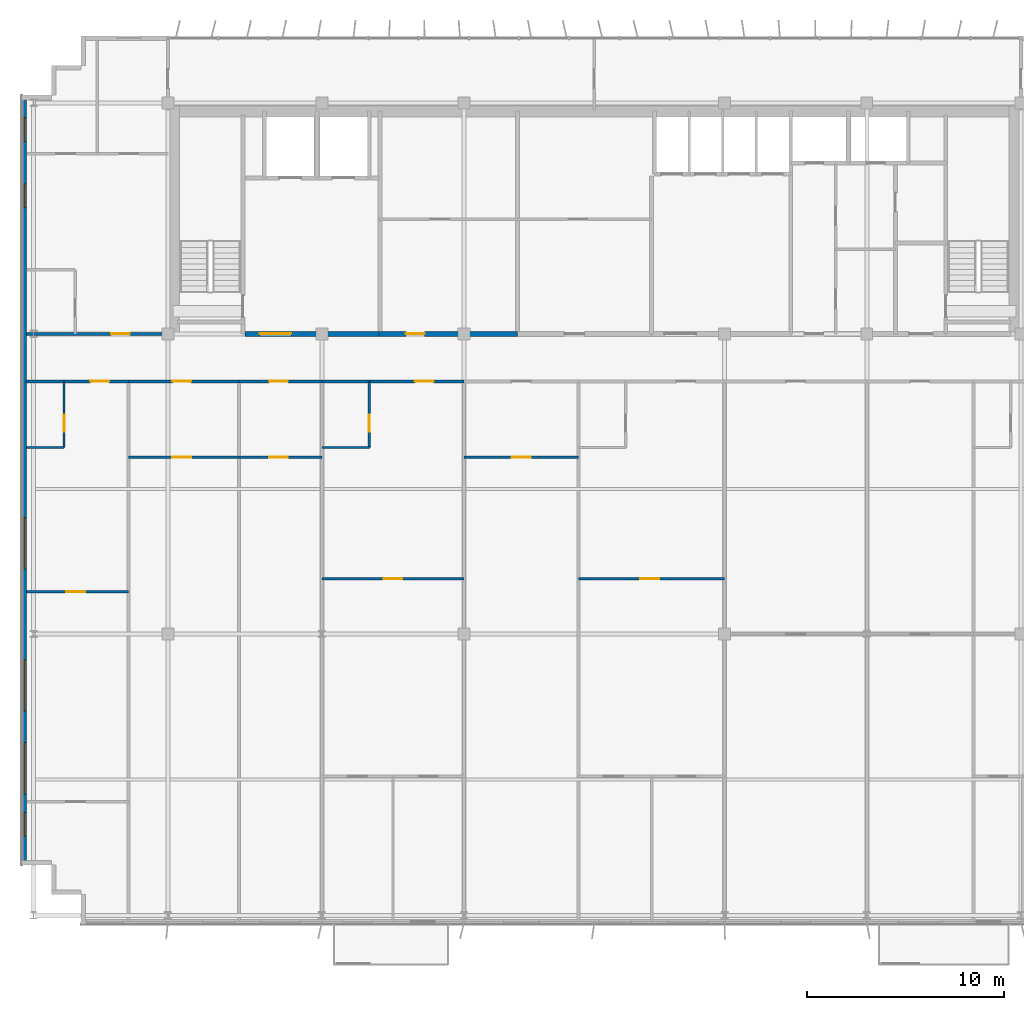
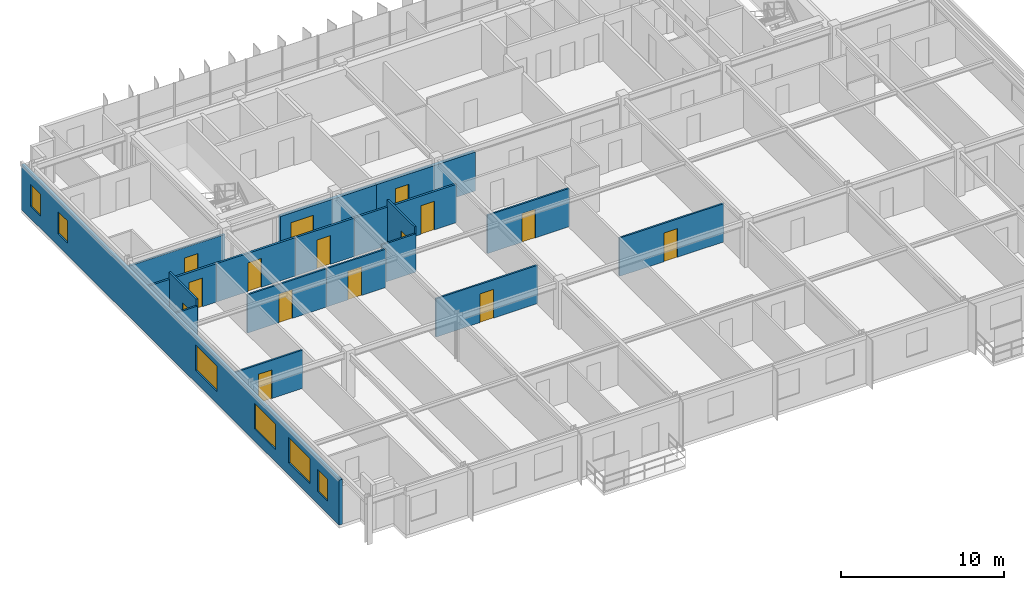
# One storey, part 17 of 23: 18 walls, 15 doors, 6 windows, 21 openings.
"""IFC4 building model written with IfcOpenShell, lengths in metres."""

from ifc_helpers import new_model, si_unit, direction, frame, frame_2d, origin, place, context, subcontext, project, spatial, rectangle, extrude, source, transform, mapped, material, layer, layer_set, type_object, element, fill, save


model = new_model("IFC4")

# Units and contexts
model_context = context("Model", 3, precision=1e-05, world=origin(), true_north=direction((0.0, 1.0)))
body_context = subcontext(model_context, "Body", "Model", "MODEL_VIEW")
ifc_project = project(units=[si_unit("LENGTHUNIT", "METRE"), si_unit("AREAUNIT", "SQUARE_METRE"), si_unit("VOLUMEUNIT", "CUBIC_METRE"), si_unit("PLANEANGLEUNIT", "RADIAN"), si_unit("MASSUNIT", "GRAM", prefix="KILO")], contexts=[model_context])

# Site, building, storey
site_placement = place(None, origin())
site = spatial("IfcSite", under=ifc_project, at=site_placement, CompositionType="ELEMENT")
building_placement = place(site_placement, origin())
building = spatial("IfcBuilding", under=site, at=building_placement, Name="Trelvane Seafront Commons", CompositionType="ELEMENT")
storey_placement = place(building_placement, frame((0.0, 0.0, 263.10009765625)))
storey = spatial("IfcBuildingStorey", under=building, at=storey_placement, Name="L68", CompositionType="ELEMENT", Elevation=263.10009765625)

# Wall, openings, windows
ifc_material_1 = material(Name="Precast concrete C40/50", Category="concrete")
ifc_layer_1 = layer(ifc_material_1, 0.239990234375, Name="ARCH-WALL-EXT240")
ifc_layer_set_1 = layer_set([ifc_layer_1], Name="Precast concrete C40/50")
wall_type_1 = type_object("IfcWallType", Name="ARCH-WALL-EXT240", PredefinedType="SOLIDWALL", material=ifc_layer_set_1)
wall_1_placement = place(storey_placement, frame((8.320068359375, 6.5, 0.0), z_axis=(0.0, 0.0, 1.0), x_axis=(0.0, 1.0, 0.0)))
wall_1 = element("IfcWall", 1, at=wall_1_placement, inside=storey, type_object=wall_type_1, Name="EW-L68-01366", PredefinedType="SOLIDWALL", context=body_context, shape_type="SweptSolid", body=[
    extrude(rectangle(XDim=39.0, YDim=0.239990234375, at=frame_2d((19.5, 0.0))), origin(), (0.0, 0.0, 1.0), 3.369873046875),
])
opening_1_placement = place(wall_1_placement, frame((1.449951171875, 0.0, 0.919921875)))
opening_1 = element("IfcOpeningElement", 2, at=opening_1_placement, cuts=wall_1, Name="Opening W05", PredefinedType="OPENING", context=body_context, shape_type="SweptSolid", body=[
    extrude(rectangle(XDim=1.199951171875, YDim=1.64990234375, at=frame_2d((0.60009765625, 0.824951171875))), frame((0.0, 0.1298828125, 0.0), z_axis=(0.0, -1.0, 0.0), x_axis=(1.0, 0.0, 0.0)), (0.0, 0.0, 1.0), 0.260009765625),
])
opening_2_placement = place(wall_1_placement, frame((3.60009765625, 0.0, 0.919921875)))
opening_2 = element("IfcOpeningElement", 3, at=opening_2_placement, cuts=wall_1, Name="Opening W04", PredefinedType="OPENING", context=body_context, shape_type="SweptSolid", body=[
    extrude(rectangle(XDim=2.60009765625, YDim=1.89990234375, at=frame_2d((1.300048828125, 0.949951171875))), frame((0.0, 0.1298828125, 0.0), z_axis=(0.0, -1.0, 0.0), x_axis=(1.0, 0.0, 0.0)), (0.0, 0.0, 1.0), 0.260009765625),
])
opening_3_placement = place(wall_1_placement, frame((7.800048828125, 0.0, 0.919921875)))
opening_3 = element("IfcOpeningElement", 4, at=opening_3_placement, cuts=wall_1, Name="Opening W04", PredefinedType="OPENING", context=body_context, shape_type="SweptSolid", body=[
    extrude(rectangle(XDim=2.60009765625, YDim=1.89990234375, at=frame_2d((1.300048828125, 0.949951171875))), frame((0.0, 0.1298828125, 0.0), z_axis=(0.0, -1.0, 0.0), x_axis=(1.0, 0.0, 0.0)), (0.0, 0.0, 1.0), 0.260009765625),
])
opening_4_placement = place(wall_1_placement, frame((15.0, 0.0, 0.919921875)))
opening_4 = element("IfcOpeningElement", 5, at=opening_4_placement, cuts=wall_1, Name="Opening W04", PredefinedType="OPENING", context=body_context, shape_type="SweptSolid", body=[
    extrude(rectangle(XDim=2.60009765625, YDim=1.89990234375, at=frame_2d((1.300048828125, 0.949951171875))), frame((0.0, 0.1298828125, 0.0), z_axis=(0.0, -1.0, 0.0), x_axis=(1.0, 0.0, 0.0)), (0.0, 0.0, 1.0), 0.260009765625),
])
opening_5_placement = place(wall_1_placement, frame((33.300048828125, 0.0, 0.919921875)))
opening_5 = element("IfcOpeningElement", 6, at=opening_5_placement, cuts=wall_1, Name="Opening W05", PredefinedType="OPENING", context=body_context, shape_type="SweptSolid", body=[
    extrude(rectangle(XDim=1.199951171875, YDim=1.64990234375, at=frame_2d((0.60009765625, 0.824951171875))), frame((0.0, 0.1298828125, 0.0), z_axis=(0.0, -1.0, 0.0), x_axis=(1.0, 0.0, 0.0)), (0.0, 0.0, 1.0), 0.260009765625),
])
opening_6_placement = place(wall_1_placement, frame((36.64990234375, 0.0, 0.919921875)))
opening_6 = element("IfcOpeningElement", 7, at=opening_6_placement, cuts=wall_1, Name="Opening W05", PredefinedType="OPENING", context=body_context, shape_type="SweptSolid", body=[
    extrude(rectangle(XDim=1.199951171875, YDim=1.64990234375, at=frame_2d((0.60009765625, 0.824951171875))), frame((0.0, 0.1298828125, 0.0), z_axis=(0.0, -1.0, 0.0), x_axis=(1.0, 0.0, 0.0)), (0.0, 0.0, 1.0), 0.260009765625),
])
ifc_material_2 = material(Name="Low-E coastal double glazing", Category="glass")
window_type_1 = type_object("IfcWindowType", Name="ARCH-WIN-W04", PartitioningType="SINGLE_PANEL", PredefinedType="WINDOW", material=ifc_material_2)
shared_shape_1 = source(origin(), body_context, "Body", "SweptSolid", [
    extrude(rectangle(XDim=2.60009765625, YDim=1.89990234375, at=frame_2d((1.300048828125, 0.949951171875))), frame((0.0, 0.030029296875, 0.0), z_axis=(0.0, -1.0, 0.0), x_axis=(1.0, 0.0, 0.0)), (0.0, 0.0, 1.0), 0.06005859375),
])
window_1_placement = place(opening_2_placement, origin())
window_1 = element("IfcWindow", 8, at=window_1_placement, inside=storey, type_object=window_type_1, Name="WIN-L68-EW-01623", OverallHeight=1.89990234375, OverallWidth=2.60009765625, PartitioningType="SINGLE_PANEL", PredefinedType="WINDOW", context=body_context, shape_type="MappedRepresentation", body=[
    mapped(shared_shape_1, transform((0.0, 0.0, 0.0), x_axis=(1.0, 0.0, 0.0), y_axis=(0.0, 1.0, 0.0), z_axis=(0.0, 0.0, 1.0), scale=1.0)),
])
fill(opening_2, window_1)
window_2_placement = place(opening_3_placement, origin())
window_2 = element("IfcWindow", 9, at=window_2_placement, inside=storey, type_object=window_type_1, Name="WIN-L68-EW-01624", OverallHeight=1.89990234375, OverallWidth=2.60009765625, PartitioningType="SINGLE_PANEL", PredefinedType="WINDOW", context=body_context, shape_type="MappedRepresentation", body=[
    mapped(shared_shape_1, transform((0.0, 0.0, 0.0), x_axis=(1.0, 0.0, 0.0), y_axis=(0.0, 1.0, 0.0), z_axis=(0.0, 0.0, 1.0), scale=1.0)),
])
fill(opening_3, window_2)
window_3_placement = place(opening_4_placement, origin())
window_3 = element("IfcWindow", 10, at=window_3_placement, inside=storey, type_object=window_type_1, Name="WIN-L68-EW-01625", OverallHeight=1.89990234375, OverallWidth=2.60009765625, PartitioningType="SINGLE_PANEL", PredefinedType="WINDOW", context=body_context, shape_type="MappedRepresentation", body=[
    mapped(shared_shape_1, transform((0.0, 0.0, 0.0), x_axis=(1.0, 0.0, 0.0), y_axis=(0.0, 1.0, 0.0), z_axis=(0.0, 0.0, 1.0), scale=1.0)),
])
fill(opening_4, window_3)
window_type_2 = type_object("IfcWindowType", Name="ARCH-WIN-W05", PartitioningType="SINGLE_PANEL", PredefinedType="WINDOW", material=ifc_material_2)
shared_shape_2 = source(origin(), body_context, "Body", "SweptSolid", [
    extrude(rectangle(XDim=1.199951171875, YDim=1.64990234375, at=frame_2d((0.60009765625, 0.824951171875))), frame((0.0, 0.030029296875, 0.0), z_axis=(0.0, -1.0, 0.0), x_axis=(1.0, 0.0, 0.0)), (0.0, 0.0, 1.0), 0.06005859375),
])
window_4_placement = place(opening_1_placement, origin())
window_4 = element("IfcWindow", 11, at=window_4_placement, inside=storey, type_object=window_type_2, Name="WIN-L68-EW-01622", OverallHeight=1.64990234375, OverallWidth=1.199951171875, PartitioningType="SINGLE_PANEL", PredefinedType="WINDOW", context=body_context, shape_type="MappedRepresentation", body=[
    mapped(shared_shape_2, transform((0.0, 0.0, 0.0), x_axis=(1.0, 0.0, 0.0), y_axis=(0.0, 1.0, 0.0), z_axis=(0.0, 0.0, 1.0), scale=1.0)),
])
fill(opening_1, window_4)
window_5_placement = place(opening_5_placement, origin())
window_5 = element("IfcWindow", 12, at=window_5_placement, inside=storey, type_object=window_type_2, Name="WIN-L68-EW-01626", OverallHeight=1.64990234375, OverallWidth=1.199951171875, PartitioningType="SINGLE_PANEL", PredefinedType="WINDOW", context=body_context, shape_type="MappedRepresentation", body=[
    mapped(shared_shape_2, transform((0.0, 0.0, 0.0), x_axis=(1.0, 0.0, 0.0), y_axis=(0.0, 1.0, 0.0), z_axis=(0.0, 0.0, 1.0), scale=1.0)),
])
fill(opening_5, window_5)
window_6_placement = place(opening_6_placement, origin())
window_6 = element("IfcWindow", 13, at=window_6_placement, inside=storey, type_object=window_type_2, Name="WIN-L68-EW-01627", OverallHeight=1.64990234375, OverallWidth=1.199951171875, PartitioningType="SINGLE_PANEL", PredefinedType="WINDOW", context=body_context, shape_type="MappedRepresentation", body=[
    mapped(shared_shape_2, transform((0.0, 0.0, 0.0), x_axis=(1.0, 0.0, 0.0), y_axis=(0.0, 1.0, 0.0), z_axis=(0.0, 0.0, 1.0), scale=1.0)),
])
fill(opening_6, window_6)

# Wall, opening, door
ifc_material_3 = material(Name="Concrete C40/50", Category="concrete")
ifc_layer_2 = layer(ifc_material_3, 0.25, Name="ARCH-WALL-FIRE250")
ifc_layer_set_2 = layer_set([ifc_layer_2], Name="Concrete C40/50")
wall_type_2 = type_object("IfcWallType", Name="ARCH-WALL-FIRE250", PredefinedType="PARTITIONING", material=ifc_layer_set_2)
wall_2_placement = place(storey_placement, frame((19.5, 33.39990234375, 0.0), z_axis=(0.0, 0.0, 1.0), x_axis=(1.0, 0.0, 0.0)))
wall_2 = element("IfcWall", 14, at=wall_2_placement, inside=storey, type_object=wall_type_2, Name="W-L68-CS-FFL-013", PredefinedType="PARTITIONING", context=body_context, shape_type="SweptSolid", body=[
    extrude(rectangle(XDim=6.800048828125, YDim=0.25, at=frame_2d((3.39990234375, 0.0))), origin(), (0.0, 0.0, 1.0), 2.919921875),
])
opening_7_placement = place(wall_2_placement, frame((0.75, 0.0, 0.0)))
opening_7 = element("IfcOpeningElement", 15, at=opening_7_placement, cuts=wall_2, Name="Opening FD-L68-05", PredefinedType="OPENING", context=body_context, shape_type="SweptSolid", body=[
    extrude(rectangle(XDim=1.60009765625, YDim=2.199951171875, at=frame_2d((0.800048828125, 1.10009765625))), frame((0.0, 0.135009765625, 0.0), z_axis=(0.0, -1.0, 0.0), x_axis=(1.0, 0.0, 0.0)), (0.0, 0.0, 1.0), 0.27001953125),
])
ifc_material_4 = material(Name="Powder-coated aluminium frame", Category="aluminium")
door_type_1 = type_object("IfcDoorType", Name="ARCH-DR-FD60-1600", OperationType="DOUBLE_DOOR_SINGLE_SWING", PredefinedType="DOOR", material=ifc_material_4)
shared_shape_3 = source(origin(), body_context, "Body", "SweptSolid", [
    extrude(rectangle(XDim=1.60009765625, YDim=2.199951171875, at=frame_2d((0.800048828125, 1.10009765625))), frame((0.0, 0.02490234375, 0.0), z_axis=(0.0, -1.0, 0.0), x_axis=(1.0, 0.0, 0.0)), (0.0, 0.0, 1.0), 0.050048828125),
])
door_1_placement = place(opening_7_placement, origin())
door_1 = element("IfcDoor", 16, at=door_1_placement, inside=storey, type_object=door_type_1, Name="L68 Firefighting Lift Lobby Double Fire Door", OperationType="DOUBLE_DOOR_SINGLE_SWING", OverallHeight=2.199951171875, OverallWidth=1.60009765625, PredefinedType="DOOR", context=body_context, shape_type="MappedRepresentation", body=[
    mapped(shared_shape_3, transform((0.0, 0.0, 0.0), x_axis=(1.0, 0.0, 0.0), y_axis=(0.0, 1.0, 0.0), z_axis=(0.0, 0.0, 1.0), scale=1.0)),
])
fill(opening_7, door_1)

wall_3_placement = place(storey_placement, frame((26.300048828125, 33.39990234375, 0.0), z_axis=(0.0, 0.0, 1.0), x_axis=(1.0, 0.0, 0.0)))
wall_3 = element("IfcWall", 17, at=wall_3_placement, inside=storey, type_object=wall_type_2, Name="W-L68-CS-FPL-024", PredefinedType="PARTITIONING", context=body_context, shape_type="SweptSolid", body=[
    extrude(rectangle(XDim=7.0, YDim=0.25, at=frame_2d((3.5, 0.0))), origin(), (0.0, 0.0, 1.0), 2.919921875),
])
opening_8_placement = place(wall_3_placement, frame((1.35009765625, 0.0, 0.0)))
opening_8 = element("IfcOpeningElement", 18, at=opening_8_placement, cuts=wall_3, Name="Opening D-L68-12", PredefinedType="OPENING", context=body_context, shape_type="SweptSolid", body=[
    extrude(rectangle(XDim=0.949951171875, YDim=2.14990234375, at=frame_2d((0.47509765625, 1.074951171875))), frame((0.0, 0.135009765625, 0.0), z_axis=(0.0, -1.0, 0.0), x_axis=(1.0, 0.0, 0.0)), (0.0, 0.0, 1.0), 0.27001953125),
])
ifc_material_5 = material(Name="Acoustic timber door leaf", Category="wood")
door_type_2 = type_object("IfcDoorType", Name="ARCH-DR-INT950", OperationType="NOTDEFINED", PredefinedType="DOOR", material=ifc_material_5)
shared_shape_4 = source(origin(), body_context, "Body", "SweptSolid", [
    extrude(rectangle(XDim=0.949951171875, YDim=2.14990234375, at=frame_2d((0.47509765625, 1.074951171875))), frame((0.0, 0.02490234375, 0.0), z_axis=(0.0, -1.0, 0.0), x_axis=(1.0, 0.0, 0.0)), (0.0, 0.0, 1.0), 0.050048828125),
])
door_2_placement = place(opening_8_placement, origin())
door_2 = element("IfcDoor", 19, at=door_2_placement, inside=storey, type_object=door_type_2, Name="L68 Floor Pantry Entrance Door", OperationType="SINGLE_SWING_RIGHT", OverallHeight=2.14990234375, OverallWidth=0.949951171875, PredefinedType="DOOR", context=body_context, shape_type="MappedRepresentation", body=[
    mapped(shared_shape_4, transform((0.0, 0.0, 0.0), x_axis=(1.0, 0.0, 0.0), y_axis=(0.0, 1.0, 0.0), z_axis=(0.0, 0.0, 1.0), scale=1.0)),
])
fill(opening_8, door_2)

ifc_material_6 = material(Name="Gypsum Drywall Acoustic Partition")
ifc_layer_3 = layer(ifc_material_6, 0.1201171875, Name="ARCH-WALL-PART120")
ifc_layer_set_3 = layer_set([ifc_layer_3], Name="Gypsum Drywall Acoustic Partition")
wall_type_3 = type_object("IfcWallType", Name="ARCH-WALL-PART120", PredefinedType="PARTITIONING", material=ifc_layer_set_3)
wall_4_placement = place(storey_placement, frame((8.43994140625, 20.35009765625, 0.0), z_axis=(0.0, 0.0, 1.0), x_axis=(1.0, 0.0, 0.0)))
wall_4 = element("IfcWall", 20, at=wall_4_placement, inside=storey, type_object=wall_type_3, Name="W-L68-U1-KL-054", PredefinedType="PARTITIONING", context=body_context, shape_type="SweptSolid", body=[
    extrude(rectangle(XDim=5.16015625, YDim=0.1201171875, at=frame_2d((2.580078125, 0.0))), origin(), (0.0, 0.0, 1.0), 2.869873046875),
])
opening_9_placement = place(wall_4_placement, frame((2.013916015625, 0.0, 0.0)))
opening_9 = element("IfcOpeningElement", 21, at=opening_9_placement, cuts=wall_4, Name="Opening D-L68-30", PredefinedType="OPENING", context=body_context, shape_type="SweptSolid", body=[
    extrude(rectangle(XDim=0.949951171875, YDim=2.14990234375, at=frame_2d((0.47509765625, 1.074951171875))), frame((0.0, 0.070068359375, 0.0), z_axis=(0.0, -1.0, 0.0), x_axis=(1.0, 0.0, 0.0)), (0.0, 0.0, 1.0), 0.14013671875),
])
door_3_placement = place(opening_9_placement, origin())
door_3 = element("IfcDoor", 22, at=door_3_placement, inside=storey, type_object=door_type_2, Name="L68 Door 30", OperationType="SINGLE_SWING_RIGHT", OverallHeight=2.14990234375, OverallWidth=0.949951171875, PredefinedType="DOOR", context=body_context, shape_type="MappedRepresentation", body=[
    mapped(shared_shape_4, transform((0.0, 0.0, 0.0), x_axis=(1.0, 0.0, 0.0), y_axis=(0.0, 1.0, 0.0), z_axis=(0.0, 0.0, 1.0), scale=1.0)),
])
fill(opening_9, door_3)

wall_5_placement = place(storey_placement, frame((10.340087890625, 27.64990234375, 0.0), z_axis=(0.0, 0.0, 1.0), x_axis=(0.0, 1.0, 0.0)))
wall_5 = element("IfcWall", 23, at=wall_5_placement, inside=storey, type_object=wall_type_3, Name="W-L68-U1-BE-055", PredefinedType="PARTITIONING", context=body_context, shape_type="SweptSolid", body=[
    extrude(rectangle(XDim=3.35009765625, YDim=0.1201171875, at=frame_2d((1.675048828125, 0.0))), origin(), (0.0, 0.0, 1.0), 3.369873046875),
])
opening_10_placement = place(wall_5_placement, frame((0.800048828125, 0.0, 0.0)))
opening_10 = element("IfcOpeningElement", 24, at=opening_10_placement, cuts=wall_5, Name="Opening D-L68-31", PredefinedType="OPENING", context=body_context, shape_type="SweptSolid", body=[
    extrude(rectangle(XDim=0.85009765625, YDim=2.10009765625, at=frame_2d((0.425048828125, 1.050048828125))), frame((0.0, 0.070068359375, 0.0), z_axis=(0.0, -1.0, 0.0), x_axis=(1.0, 0.0, 0.0)), (0.0, 0.0, 1.0), 0.14013671875),
])
door_type_3 = type_object("IfcDoorType", Name="ARCH-DR-INT850", OperationType="NOTDEFINED", PredefinedType="DOOR", material=ifc_material_5)
shared_shape_5 = source(origin(), body_context, "Body", "SweptSolid", [
    extrude(rectangle(XDim=0.85009765625, YDim=2.10009765625, at=frame_2d((0.425048828125, 1.050048828125))), frame((0.0, 0.02490234375, 0.0), z_axis=(0.0, -1.0, 0.0), x_axis=(1.0, 0.0, 0.0)), (0.0, 0.0, 1.0), 0.050048828125),
])
door_4_placement = place(opening_10_placement, origin())
door_4 = element("IfcDoor", 25, at=door_4_placement, inside=storey, type_object=door_type_3, Name="L68 Door 31", OperationType="SINGLE_SWING_LEFT", OverallHeight=2.10009765625, OverallWidth=0.85009765625, PredefinedType="DOOR", context=body_context, shape_type="MappedRepresentation", body=[
    mapped(shared_shape_5, transform((0.0, 0.0, 0.0), x_axis=(1.0, 0.0, 0.0), y_axis=(0.0, 1.0, 0.0), z_axis=(0.0, 0.0, 1.0), scale=1.0)),
])
fill(opening_10, door_4)

# Wall
wall_6_placement = place(storey_placement, frame((8.43994140625, 27.64990234375, 0.0), z_axis=(0.0, 0.0, 1.0), x_axis=(1.0, 0.0, 0.0)))
element("IfcWall", 26, at=wall_6_placement, inside=storey, type_object=wall_type_3, Name="W-L68-U1-BS-056", PredefinedType="PARTITIONING", context=body_context, shape_type="SweptSolid", body=[
    extrude(rectangle(XDim=1.900146484375, YDim=0.1201171875, at=frame_2d((0.9501953125, 0.0))), origin(), (0.0, 0.0, 1.0), 2.869873046875),
])

# Wall, opening, door
wall_7_placement = place(storey_placement, frame((13.60009765625, 27.14990234375, 0.0), z_axis=(0.0, 0.0, 1.0), x_axis=(1.0, 0.0, 0.0)))
wall_7 = element("IfcWall", 27, at=wall_7_placement, inside=storey, type_object=wall_type_3, Name="W-L68-U2-DIV-060", PredefinedType="PARTITIONING", context=body_context, shape_type="SweptSolid", body=[
    extrude(rectangle(XDim=5.599853515625, YDim=0.1201171875, at=frame_2d((2.7998046875, 0.0))), origin(), (0.0, 0.0, 1.0), 2.869873046875),
])
opening_11_placement = place(wall_7_placement, frame((2.23193359375, 0.0, 0.0)))
opening_11 = element("IfcOpeningElement", 28, at=opening_11_placement, cuts=wall_7, Name="Opening D-L68-35", PredefinedType="OPENING", context=body_context, shape_type="SweptSolid", body=[
    extrude(rectangle(XDim=0.949951171875, YDim=2.14990234375, at=frame_2d((0.47509765625, 1.074951171875))), frame((0.0, 0.070068359375, 0.0), z_axis=(0.0, -1.0, 0.0), x_axis=(1.0, 0.0, 0.0)), (0.0, 0.0, 1.0), 0.14013671875),
])
door_5_placement = place(opening_11_placement, origin())
door_5 = element("IfcDoor", 29, at=door_5_placement, inside=storey, type_object=door_type_2, Name="L68 Door 35", OperationType="SINGLE_SWING_LEFT", OverallHeight=2.14990234375, OverallWidth=0.949951171875, PredefinedType="DOOR", context=body_context, shape_type="MappedRepresentation", body=[
    mapped(shared_shape_4, transform((0.0, 0.0, 0.0), x_axis=(1.0, 0.0, 0.0), y_axis=(0.0, 1.0, 0.0), z_axis=(0.0, 0.0, 1.0), scale=1.0)),
])
fill(opening_11, door_5)

wall_8_placement = place(storey_placement, frame((19.199951171875, 27.14990234375, 0.0), z_axis=(0.0, 0.0, 1.0), x_axis=(1.0, 0.0, 0.0)))
wall_8 = element("IfcWall", 30, at=wall_8_placement, inside=storey, type_object=wall_type_3, Name="W-L68-U3-DIV-062", PredefinedType="PARTITIONING", context=body_context, shape_type="SweptSolid", body=[
    extrude(rectangle(XDim=4.199951171875, YDim=0.1201171875, at=frame_2d((2.10009765625, 0.0))), origin(), (0.0, 0.0, 1.0), 2.869873046875),
])
opening_12_placement = place(wall_8_placement, frame((1.529052734375, 0.0, 0.0)))
opening_12 = element("IfcOpeningElement", 31, at=opening_12_placement, cuts=wall_8, Name="Opening D-L68-37", PredefinedType="OPENING", context=body_context, shape_type="SweptSolid", body=[
    extrude(rectangle(XDim=0.949951171875, YDim=2.14990234375, at=frame_2d((0.47509765625, 1.074951171875))), frame((0.0, 0.070068359375, 0.0), z_axis=(0.0, -1.0, 0.0), x_axis=(1.0, 0.0, 0.0)), (0.0, 0.0, 1.0), 0.14013671875),
])
door_6_placement = place(opening_12_placement, origin())
door_6 = element("IfcDoor", 32, at=door_6_placement, inside=storey, type_object=door_type_2, Name="L68 Door 37", OperationType="SINGLE_SWING_LEFT", OverallHeight=2.14990234375, OverallWidth=0.949951171875, PredefinedType="DOOR", context=body_context, shape_type="MappedRepresentation", body=[
    mapped(shared_shape_4, transform((0.0, 0.0, 0.0), x_axis=(1.0, 0.0, 0.0), y_axis=(0.0, 1.0, 0.0), z_axis=(0.0, 0.0, 1.0), scale=1.0)),
])
fill(opening_12, door_6)

wall_9_placement = place(storey_placement, frame((23.39990234375, 21.0, 0.0), z_axis=(0.0, 0.0, 1.0), x_axis=(1.0, 0.0, 0.0)))
wall_9 = element("IfcWall", 33, at=wall_9_placement, inside=storey, type_object=wall_type_3, Name="W-L68-U4-KL-063", PredefinedType="PARTITIONING", context=body_context, shape_type="SweptSolid", body=[
    extrude(rectangle(XDim=7.2001953125, YDim=0.1201171875, at=frame_2d((3.60009765625, 0.0))), origin(), (0.0, 0.0, 1.0), 2.869873046875),
])
opening_13_placement = place(wall_9_placement, frame((3.125, 0.0, 0.0)))
opening_13 = element("IfcOpeningElement", 34, at=opening_13_placement, cuts=wall_9, Name="Opening D-L68-38", PredefinedType="OPENING", context=body_context, shape_type="SweptSolid", body=[
    extrude(rectangle(XDim=0.949951171875, YDim=2.14990234375, at=frame_2d((0.47509765625, 1.074951171875))), frame((0.0, 0.070068359375, 0.0), z_axis=(0.0, -1.0, 0.0), x_axis=(1.0, 0.0, 0.0)), (0.0, 0.0, 1.0), 0.14013671875),
])
door_7_placement = place(opening_13_placement, origin())
door_7 = element("IfcDoor", 35, at=door_7_placement, inside=storey, type_object=door_type_2, Name="L68 Door 38", OperationType="SINGLE_SWING_RIGHT", OverallHeight=2.14990234375, OverallWidth=0.949951171875, PredefinedType="DOOR", context=body_context, shape_type="MappedRepresentation", body=[
    mapped(shared_shape_4, transform((0.0, 0.0, 0.0), x_axis=(1.0, 0.0, 0.0), y_axis=(0.0, 1.0, 0.0), z_axis=(0.0, 0.0, 1.0), scale=1.0)),
])
fill(opening_13, door_7)

wall_10_placement = place(storey_placement, frame((25.800048828125, 27.64990234375, 0.0), z_axis=(0.0, 0.0, 1.0), x_axis=(0.0, 1.0, 0.0)))
wall_10 = element("IfcWall", 36, at=wall_10_placement, inside=storey, type_object=wall_type_3, Name="W-L68-U4-BE-064", PredefinedType="PARTITIONING", context=body_context, shape_type="SweptSolid", body=[
    extrude(rectangle(XDim=3.35009765625, YDim=0.1201171875, at=frame_2d((1.675048828125, 0.0))), origin(), (0.0, 0.0, 1.0), 3.369873046875),
])
opening_14_placement = place(wall_10_placement, frame((0.800048828125, 0.0, 0.0)))
opening_14 = element("IfcOpeningElement", 37, at=opening_14_placement, cuts=wall_10, Name="Opening D-L68-39", PredefinedType="OPENING", context=body_context, shape_type="SweptSolid", body=[
    extrude(rectangle(XDim=0.85009765625, YDim=2.10009765625, at=frame_2d((0.425048828125, 1.050048828125))), frame((0.0, 0.070068359375, 0.0), z_axis=(0.0, -1.0, 0.0), x_axis=(1.0, 0.0, 0.0)), (0.0, 0.0, 1.0), 0.14013671875),
])
door_8_placement = place(opening_14_placement, origin())
door_8 = element("IfcDoor", 38, at=door_8_placement, inside=storey, type_object=door_type_3, Name="L68 Door 39", OperationType="SINGLE_SWING_LEFT", OverallHeight=2.10009765625, OverallWidth=0.85009765625, PredefinedType="DOOR", context=body_context, shape_type="MappedRepresentation", body=[
    mapped(shared_shape_5, transform((0.0, 0.0, 0.0), x_axis=(1.0, 0.0, 0.0), y_axis=(0.0, 1.0, 0.0), z_axis=(0.0, 0.0, 1.0), scale=1.0)),
])
fill(opening_14, door_8)

# Wall
wall_11_placement = place(storey_placement, frame((23.39990234375, 27.64990234375, 0.0), z_axis=(0.0, 0.0, 1.0), x_axis=(1.0, 0.0, 0.0)))
element("IfcWall", 39, at=wall_11_placement, inside=storey, type_object=wall_type_3, Name="W-L68-U4-BS-065", PredefinedType="PARTITIONING", context=body_context, shape_type="SweptSolid", body=[
    extrude(rectangle(XDim=2.400146484375, YDim=0.1201171875, at=frame_2d((1.2001953125, 0.0))), origin(), (0.0, 0.0, 1.0), 2.869873046875),
])

# Wall, opening, door
wall_12_placement = place(storey_placement, frame((30.60009765625, 27.14990234375, 0.0), z_axis=(0.0, 0.0, 1.0), x_axis=(1.0, 0.0, 0.0)))
wall_12 = element("IfcWall", 40, at=wall_12_placement, inside=storey, type_object=wall_type_3, Name="W-L68-U5-DIV-071", PredefinedType="PARTITIONING", context=body_context, shape_type="SweptSolid", body=[
    extrude(rectangle(XDim=5.7998046875, YDim=0.1201171875, at=frame_2d((2.89990234375, 0.0))), origin(), (0.0, 0.0, 1.0), 2.869873046875),
])
opening_15_placement = place(wall_12_placement, frame((2.425048828125, 0.0, 0.0)))
opening_15 = element("IfcOpeningElement", 41, at=opening_15_placement, cuts=wall_12, Name="Opening D-L68-44", PredefinedType="OPENING", context=body_context, shape_type="SweptSolid", body=[
    extrude(rectangle(XDim=0.949951171875, YDim=2.14990234375, at=frame_2d((0.47509765625, 1.074951171875))), frame((0.0, 0.070068359375, 0.0), z_axis=(0.0, -1.0, 0.0), x_axis=(1.0, 0.0, 0.0)), (0.0, 0.0, 1.0), 0.14013671875),
])
door_9_placement = place(opening_15_placement, origin())
door_9 = element("IfcDoor", 42, at=door_9_placement, inside=storey, type_object=door_type_2, Name="L68 Door 44", OperationType="SINGLE_SWING_RIGHT", OverallHeight=2.14990234375, OverallWidth=0.949951171875, PredefinedType="DOOR", context=body_context, shape_type="MappedRepresentation", body=[
    mapped(shared_shape_4, transform((0.0, 0.0, 0.0), x_axis=(1.0, 0.0, 0.0), y_axis=(0.0, 1.0, 0.0), z_axis=(0.0, 0.0, 1.0), scale=1.0)),
])
fill(opening_15, door_9)

wall_13_placement = place(storey_placement, frame((36.39990234375, 21.0, 0.0), z_axis=(0.0, 0.0, 1.0), x_axis=(1.0, 0.0, 0.0)))
wall_13 = element("IfcWall", 43, at=wall_13_placement, inside=storey, type_object=wall_type_3, Name="W-L68-U6-KL-072", PredefinedType="PARTITIONING", context=body_context, shape_type="SweptSolid", body=[
    extrude(rectangle(XDim=7.400146484375, YDim=0.1201171875, at=frame_2d((3.7001953125, 0.0))), origin(), (0.0, 0.0, 1.0), 2.869873046875),
])
opening_16_placement = place(wall_13_placement, frame((3.133056640625, 0.0, 0.0)))
opening_16 = element("IfcOpeningElement", 44, at=opening_16_placement, cuts=wall_13, Name="Opening D-L68-45", PredefinedType="OPENING", context=body_context, shape_type="SweptSolid", body=[
    extrude(rectangle(XDim=0.949951171875, YDim=2.14990234375, at=frame_2d((0.47509765625, 1.074951171875))), frame((0.0, 0.070068359375, 0.0), z_axis=(0.0, -1.0, 0.0), x_axis=(1.0, 0.0, 0.0)), (0.0, 0.0, 1.0), 0.14013671875),
])
door_10_placement = place(opening_16_placement, origin())
door_10 = element("IfcDoor", 45, at=door_10_placement, inside=storey, type_object=door_type_2, Name="L68 Door 45", OperationType="SINGLE_SWING_LEFT", OverallHeight=2.14990234375, OverallWidth=0.949951171875, PredefinedType="DOOR", context=body_context, shape_type="MappedRepresentation", body=[
    mapped(shared_shape_4, transform((0.0, 0.0, 0.0), x_axis=(1.0, 0.0, 0.0), y_axis=(0.0, 1.0, 0.0), z_axis=(0.0, 0.0, 1.0), scale=1.0)),
])
fill(opening_16, door_10)

ifc_layer_4 = layer(ifc_material_6, 0.14990234375, Name="ARCH-WALL-PART150")
ifc_layer_set_4 = layer_set([ifc_layer_4], Name="Gypsum Drywall Acoustic Partition")
wall_type_4 = type_object("IfcWallType", Name="ARCH-WALL-PART150", PredefinedType="PARTITIONING", material=ifc_layer_set_4)
wall_14_placement = place(storey_placement, frame((8.449951171875, 33.39990234375, 0.0), z_axis=(0.0, 0.0, 1.0), x_axis=(1.0, 0.0, 0.0)))
wall_14 = element("IfcWall", 46, at=wall_14_placement, inside=storey, type_object=wall_type_4, Name="W-L68-NW-ENT-040", PredefinedType="PARTITIONING", context=body_context, shape_type="SweptSolid", body=[
    extrude(rectangle(XDim=7.150146484375, YDim=0.14990234375, at=frame_2d((3.5751953125, 0.0))), origin(), (0.0, 0.0, 1.0), 2.919921875),
])
opening_17_placement = place(wall_14_placement, frame((4.27001953125, 0.0, 0.0)))
opening_17 = element("IfcOpeningElement", 47, at=opening_17_placement, cuts=wall_14, Name="Opening FD-L68-25", PredefinedType="OPENING", context=body_context, shape_type="SweptSolid", body=[
    extrude(rectangle(XDim=0.949951171875, YDim=2.14990234375, at=frame_2d((0.47509765625, 1.074951171875))), frame((0.0, 0.0849609375, 0.0), z_axis=(0.0, -1.0, 0.0), x_axis=(1.0, 0.0, 0.0)), (0.0, 0.0, 1.0), 0.169921875),
])
door_type_4 = type_object("IfcDoorType", Name="ARCH-DR-FD60-950", OperationType="NOTDEFINED", PredefinedType="DOOR", material=ifc_material_4)
door_11_placement = place(opening_17_placement, origin())
door_11 = element("IfcDoor", 48, at=door_11_placement, inside=storey, type_object=door_type_4, Name="L68 NW Flat Entrance Door", OperationType="SINGLE_SWING_LEFT", OverallHeight=2.14990234375, OverallWidth=0.949951171875, PredefinedType="DOOR", context=body_context, shape_type="MappedRepresentation", body=[
    mapped(shared_shape_4, transform((0.0, 0.0, 0.0), x_axis=(1.0, 0.0, 0.0), y_axis=(0.0, 1.0, 0.0), z_axis=(0.0, 0.0, 1.0), scale=1.0)),
])
fill(opening_17, door_11)

wall_15_placement = place(storey_placement, frame((8.425048828125, 31.0, 0.0), z_axis=(0.0, 0.0, 1.0), x_axis=(1.0, 0.0, 0.0)))
wall_15 = element("IfcWall", 49, at=wall_15_placement, inside=storey, type_object=wall_type_4, Name="W-L68-CS-BAY-1-057", PredefinedType="PARTITIONING", context=body_context, shape_type="SweptSolid", body=[
    extrude(rectangle(XDim=5.175048828125, YDim=0.14990234375, at=frame_2d((2.58740234375, 0.0))), origin(), (0.0, 0.0, 1.0), 2.869873046875),
])
opening_18_placement = place(wall_15_placement, frame((3.243896484375, 0.0, 0.0)))
opening_18 = element("IfcOpeningElement", 50, at=opening_18_placement, cuts=wall_15, Name="Opening FD-L68-32", PredefinedType="OPENING", context=body_context, shape_type="SweptSolid", body=[
    extrude(rectangle(XDim=0.949951171875, YDim=2.14990234375, at=frame_2d((0.47509765625, 1.074951171875))), frame((0.0, 0.0849609375, 0.0), z_axis=(0.0, -1.0, 0.0), x_axis=(1.0, 0.0, 0.0)), (0.0, 0.0, 1.0), 0.169921875),
])
door_12_placement = place(opening_18_placement, origin())
door_12 = element("IfcDoor", 51, at=door_12_placement, inside=storey, type_object=door_type_4, Name="L68 Unit 01 Entrance Door", OperationType="SINGLE_SWING_RIGHT", OverallHeight=2.14990234375, OverallWidth=0.949951171875, PredefinedType="DOOR", context=body_context, shape_type="MappedRepresentation", body=[
    mapped(shared_shape_4, transform((0.0, 0.0, 0.0), x_axis=(1.0, 0.0, 0.0), y_axis=(0.0, 1.0, 0.0), z_axis=(0.0, 0.0, 1.0), scale=1.0)),
])
fill(opening_18, door_12)

wall_16_placement = place(storey_placement, frame((13.60009765625, 31.0, 0.0), z_axis=(0.0, 0.0, 1.0), x_axis=(1.0, 0.0, 0.0)))
wall_16 = element("IfcWall", 52, at=wall_16_placement, inside=storey, type_object=wall_type_4, Name="W-L68-CS-BAY-2-059", PredefinedType="PARTITIONING", context=body_context, shape_type="SweptSolid", body=[
    extrude(rectangle(XDim=5.599853515625, YDim=0.14990234375, at=frame_2d((2.7998046875, 0.0))), origin(), (0.0, 0.0, 1.0), 2.869873046875),
])
opening_19_placement = place(wall_16_placement, frame((2.23193359375, 0.0, 0.0)))
opening_19 = element("IfcOpeningElement", 53, at=opening_19_placement, cuts=wall_16, Name="Opening FD-L68-34", PredefinedType="OPENING", context=body_context, shape_type="SweptSolid", body=[
    extrude(rectangle(XDim=0.949951171875, YDim=2.14990234375, at=frame_2d((0.47509765625, 1.074951171875))), frame((0.0, 0.0849609375, 0.0), z_axis=(0.0, -1.0, 0.0), x_axis=(1.0, 0.0, 0.0)), (0.0, 0.0, 1.0), 0.169921875),
])
door_13_placement = place(opening_19_placement, origin())
door_13 = element("IfcDoor", 54, at=door_13_placement, inside=storey, type_object=door_type_4, Name="L68 Bay 02 Entrance Door", OperationType="SINGLE_SWING_RIGHT", OverallHeight=2.14990234375, OverallWidth=0.949951171875, PredefinedType="DOOR", context=body_context, shape_type="MappedRepresentation", body=[
    mapped(shared_shape_4, transform((0.0, 0.0, 0.0), x_axis=(1.0, 0.0, 0.0), y_axis=(0.0, 1.0, 0.0), z_axis=(0.0, 0.0, 1.0), scale=1.0)),
])
fill(opening_19, door_13)

wall_17_placement = place(storey_placement, frame((19.199951171875, 31.0, 0.0), z_axis=(0.0, 0.0, 1.0), x_axis=(1.0, 0.0, 0.0)))
wall_17 = element("IfcWall", 55, at=wall_17_placement, inside=storey, type_object=wall_type_4, Name="W-L68-CS-BAY-3-061", PredefinedType="PARTITIONING", context=body_context, shape_type="SweptSolid", body=[
    extrude(rectangle(XDim=4.199951171875, YDim=0.14990234375, at=frame_2d((2.10009765625, 0.0))), origin(), (0.0, 0.0, 1.0), 2.869873046875),
])
opening_20_placement = place(wall_17_placement, frame((1.529052734375, 0.0, 0.0)))
opening_20 = element("IfcOpeningElement", 56, at=opening_20_placement, cuts=wall_17, Name="Opening FD-L68-36", PredefinedType="OPENING", context=body_context, shape_type="SweptSolid", body=[
    extrude(rectangle(XDim=0.949951171875, YDim=2.14990234375, at=frame_2d((0.47509765625, 1.074951171875))), frame((0.0, 0.0849609375, 0.0), z_axis=(0.0, -1.0, 0.0), x_axis=(1.0, 0.0, 0.0)), (0.0, 0.0, 1.0), 0.169921875),
])
door_14_placement = place(opening_20_placement, origin())
door_14 = element("IfcDoor", 57, at=door_14_placement, inside=storey, type_object=door_type_4, Name="L68 Bay 03 Entrance Door", OperationType="SINGLE_SWING_RIGHT", OverallHeight=2.14990234375, OverallWidth=0.949951171875, PredefinedType="DOOR", context=body_context, shape_type="MappedRepresentation", body=[
    mapped(shared_shape_4, transform((0.0, 0.0, 0.0), x_axis=(1.0, 0.0, 0.0), y_axis=(0.0, 1.0, 0.0), z_axis=(0.0, 0.0, 1.0), scale=1.0)),
])
fill(opening_20, door_14)

wall_18_placement = place(storey_placement, frame((23.39990234375, 31.0, 0.0), z_axis=(0.0, 0.0, 1.0), x_axis=(1.0, 0.0, 0.0)))
wall_18 = element("IfcWall", 58, at=wall_18_placement, inside=storey, type_object=wall_type_4, Name="W-L68-CS-BAY-4-066", PredefinedType="PARTITIONING", context=body_context, shape_type="SweptSolid", body=[
    extrude(rectangle(XDim=7.2001953125, YDim=0.14990234375, at=frame_2d((3.60009765625, 0.0))), origin(), (0.0, 0.0, 1.0), 2.869873046875),
])
opening_21_placement = place(wall_18_placement, frame((4.7060546875, 0.0, 0.0)))
opening_21 = element("IfcOpeningElement", 59, at=opening_21_placement, cuts=wall_18, Name="Opening FD-L68-40", PredefinedType="OPENING", context=body_context, shape_type="SweptSolid", body=[
    extrude(rectangle(XDim=0.949951171875, YDim=2.14990234375, at=frame_2d((0.47509765625, 1.074951171875))), frame((0.0, 0.0849609375, 0.0), z_axis=(0.0, -1.0, 0.0), x_axis=(1.0, 0.0, 0.0)), (0.0, 0.0, 1.0), 0.169921875),
])
door_15_placement = place(opening_21_placement, origin())
door_15 = element("IfcDoor", 60, at=door_15_placement, inside=storey, type_object=door_type_4, Name="L68 Unit 04 Entrance Door", OperationType="SINGLE_SWING_RIGHT", OverallHeight=2.14990234375, OverallWidth=0.949951171875, PredefinedType="DOOR", context=body_context, shape_type="MappedRepresentation", body=[
    mapped(shared_shape_4, transform((0.0, 0.0, 0.0), x_axis=(1.0, 0.0, 0.0), y_axis=(0.0, 1.0, 0.0), z_axis=(0.0, 0.0, 1.0), scale=1.0)),
])
fill(opening_21, door_15)

save(model, "model.ifc")
